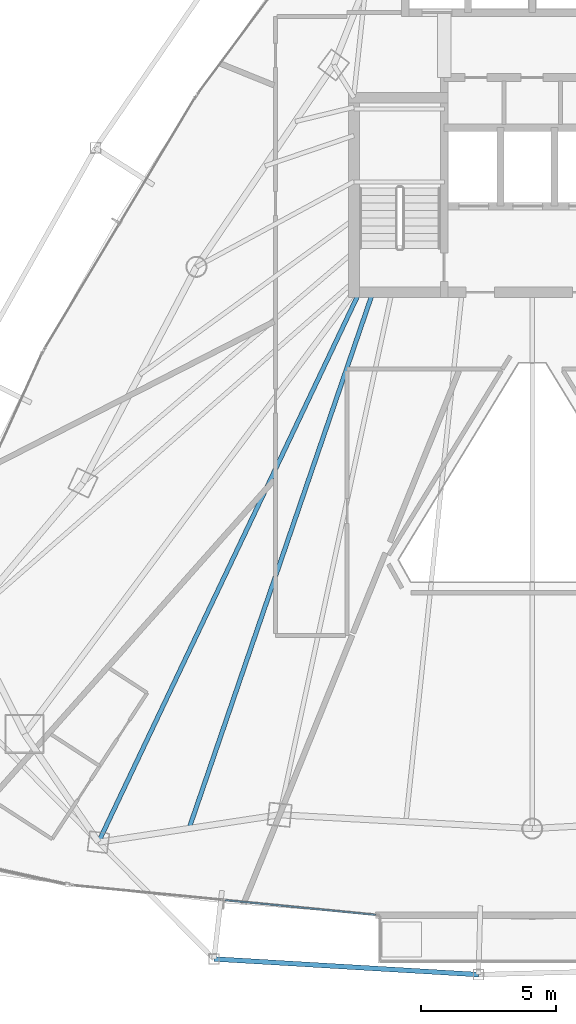
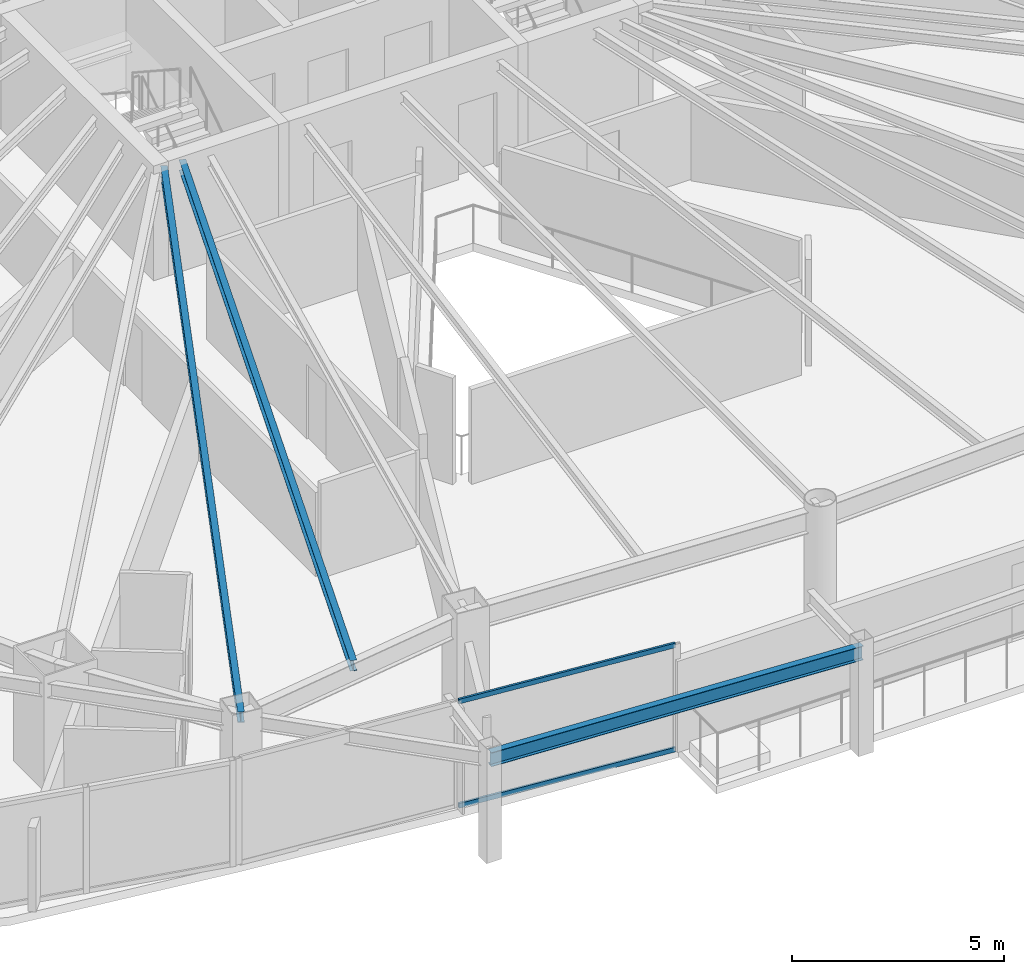
# One storey, part 6 of 31: 3 beams, 2 members, 1 element without a shape of its own.
"""IFC4 building model written with IfcOpenShell, lengths in metres."""

from ifc_helpers import new_model, si_unit, direction, frame, origin, origin_2d, place, context, subcontext, project, spatial, hollow_rectangle, i_section, extrude, material, layer, layer_set, material_profile, profile_set, type_object, element, aggregate, save


model = new_model("IFC4")

# Units and contexts
model_context = context("Model", 3, precision=1e-05, world=origin(), true_north=direction((0.0, 1.0)))
body_context = subcontext(model_context, "Body", "Model", "MODEL_VIEW")
ifc_project = project(units=[si_unit("LENGTHUNIT", "METRE"), si_unit("AREAUNIT", "SQUARE_METRE"), si_unit("VOLUMEUNIT", "CUBIC_METRE"), si_unit("PLANEANGLEUNIT", "RADIAN"), si_unit("MASSUNIT", "GRAM", prefix="KILO")], contexts=[model_context])

# Site, building, storey
site_placement = place(None, origin())
site = spatial("IfcSite", under=ifc_project, at=site_placement, CompositionType="ELEMENT")
building_placement = place(site_placement, origin())
building = spatial("IfcBuilding", under=site, at=building_placement, Name="Orvanel Arch Residences", CompositionType="ELEMENT")
storey_placement = place(building_placement, frame((0.0, 0.0, 153.949951171875)))
storey = spatial("IfcBuildingStorey", under=building, at=storey_placement, Name="L43", CompositionType="ELEMENT", Elevation=153.949951171875)

# Beams
ifc_material_1 = material(Name="Structural steel AS/NZS 3679.1 Grade 300 (300 MPa)", Category="steel")
ifc_material_profile_1 = material_profile(ifc_material_1, i_section(OverallWidth=0.1650390625, OverallDepth=0.303955078125, WebThickness=0.006103515625, FlangeThickness=0.01025390625, at=origin_2d()), Name="310UB40.4")
ifc_profile_set_1 = profile_set([ifc_material_profile_1], Name="Structural steel AS/NZS 3679.1 Grade 300 (300 MPa)")
beam_type_1 = type_object("IfcBeamType", Name="BJ-310UB", PredefinedType="JOIST", material=ifc_profile_set_1)
beam_1_placement = place(storey_placement, frame((26.60009765625, 26.699951171875, 2.907958984375), z_axis=(-0.428614365266, -0.903487534993, 0.0), x_axis=(0.903487534993, -0.428614365266, 0.0)))
element("IfcBeam", 1, at=beam_1_placement, inside=storey, type_object=beam_type_1, Name="L43 MSW Wing Floor Joist", PredefinedType="JOIST", context=body_context, shape_type="SweptSolid", body=[
    extrude(i_section(OverallWidth=0.1650390625, OverallDepth=0.303955078125, WebThickness=0.006103515625, FlangeThickness=0.01025390625, at=origin_2d()), origin(), (0.0, 0.0, 1.0), 22.535888671875),
])
beam_2_placement = place(storey_placement, frame((27.10009765625, 26.699951171875, 2.907958984375), z_axis=(-0.324257108963, -0.945968988544, 0.0), x_axis=(0.945968988544, -0.324257108963, 0.0)))
element("IfcBeam", 2, at=beam_2_placement, inside=storey, type_object=beam_type_1, Name="L43 JADD1 Wing Floor Joist", PredefinedType="JOIST", context=body_context, shape_type="SweptSolid", body=[
    extrude(i_section(OverallWidth=0.1650390625, OverallDepth=0.303955078125, WebThickness=0.006103515625, FlangeThickness=0.01025390625, at=origin_2d()), origin(), (0.0, 0.0, 1.0), 20.987060546875),
])
ifc_material_profile_2 = material_profile(ifc_material_1, i_section(OverallWidth=0.177978515625, OverallDepth=0.406005859375, WebThickness=0.0078125, FlangeThickness=0.0126953125, at=origin_2d()), Name="410UB59.7")
ifc_profile_set_2 = profile_set([ifc_material_profile_2], Name="Structural steel AS/NZS 3679.1 Grade 300 (300 MPa)")
beam_type_2 = type_object("IfcBeamType", Name="OB-410UB-EXT", PredefinedType="SPANDREL", material=ifc_profile_set_2)
beam_3_placement = place(storey_placement, frame((21.218994140625, 2.01611328125, 2.85693359375), z_axis=(0.998261301792, -0.058943815147, 0.0), x_axis=(0.058943815147, 0.998261301792, 0.0)))
element("IfcBeam", 3, at=beam_3_placement, inside=storey, type_object=beam_type_2, Name="L43 Outer Perimeter Floor Ring Beam 05", PredefinedType="SPANDREL", context=body_context, shape_type="SweptSolid", body=[
    extrude(i_section(OverallWidth=0.177978515625, OverallDepth=0.406005859375, WebThickness=0.0078125, FlangeThickness=0.0126953125, at=origin_2d()), origin(), (0.0, 0.0, 1.0), 9.80810546875),
])

# Curtain wall, members
ifc_material_2 = material(Name="Bronze-anodised aluminium AA6063-T6", Category="aluminium")
ifc_layer = layer(ifc_material_2, 0.179931640625)
ifc_layer_set = layer_set([ifc_layer], Name="Bronze-anodised aluminium AA6063-T6")
curtain_wall_type = type_object("IfcCurtainWallType", Name="CW3-MID-SYS", PredefinedType="NOTDEFINED", material=ifc_layer_set)
curtain_wall_placement = place(storey_placement, origin())
curtain_wall = element("IfcCurtainWall", 4, at=curtain_wall_placement, inside=storey, type_object=curtain_wall_type, Name="L43 CW3-MID-SYS Unitised Curtain Wall", PredefinedType="NOTDEFINED")
ifc_material_profile_3 = material_profile(ifc_material_2, hollow_rectangle(XDim=0.06005859375, YDim=0.135009765625, WallThickness=0.00390625, at=origin_2d()), Name="ALU135x60x4")
ifc_profile_set_3 = profile_set([ifc_material_profile_3], Name="Bronze-anodised aluminium AA6063-T6")
member_type = type_object("IfcMemberType", Name="TRN-135x60", PredefinedType="USERDEFINED", material=ifc_profile_set_3)
member_1_placement = place(storey_placement, frame((21.626220703125, 4.194091796875, 0.030029296875), z_axis=(0.995278225692, -0.097063141629, 0.0), x_axis=(0.097063141629, 0.995278225692, 0.0)))
member_1 = element("IfcMember", 5, at=member_1_placement, type_object=member_type, Name="CW-S3 transom 2.1", ObjectType="TRANSOM", PredefinedType="USERDEFINED", context=body_context, shape_type="SweptSolid", body=[
    extrude(hollow_rectangle(XDim=0.06005859375, YDim=0.135009765625, WallThickness=0.00390625, at=origin_2d()), origin(), (0.0, 0.0, 1.0), 5.6064453125),
])
member_2_placement = place(storey_placement, frame((21.626220703125, 4.194091796875, 3.030029296875), z_axis=(0.995278225692, -0.097063141629, 0.0), x_axis=(0.097063141629, 0.995278225692, 0.0)))
member_2 = element("IfcMember", 6, at=member_2_placement, type_object=member_type, Name="CW-S3 transom 2.2", ObjectType="TRANSOM", PredefinedType="USERDEFINED", context=body_context, shape_type="SweptSolid", body=[
    extrude(hollow_rectangle(XDim=0.06005859375, YDim=0.135009765625, WallThickness=0.00390625, at=origin_2d()), origin(), (0.0, 0.0, 1.0), 5.6064453125),
])
aggregate(curtain_wall, [member_1, member_2])

save(model, "model.ifc")
